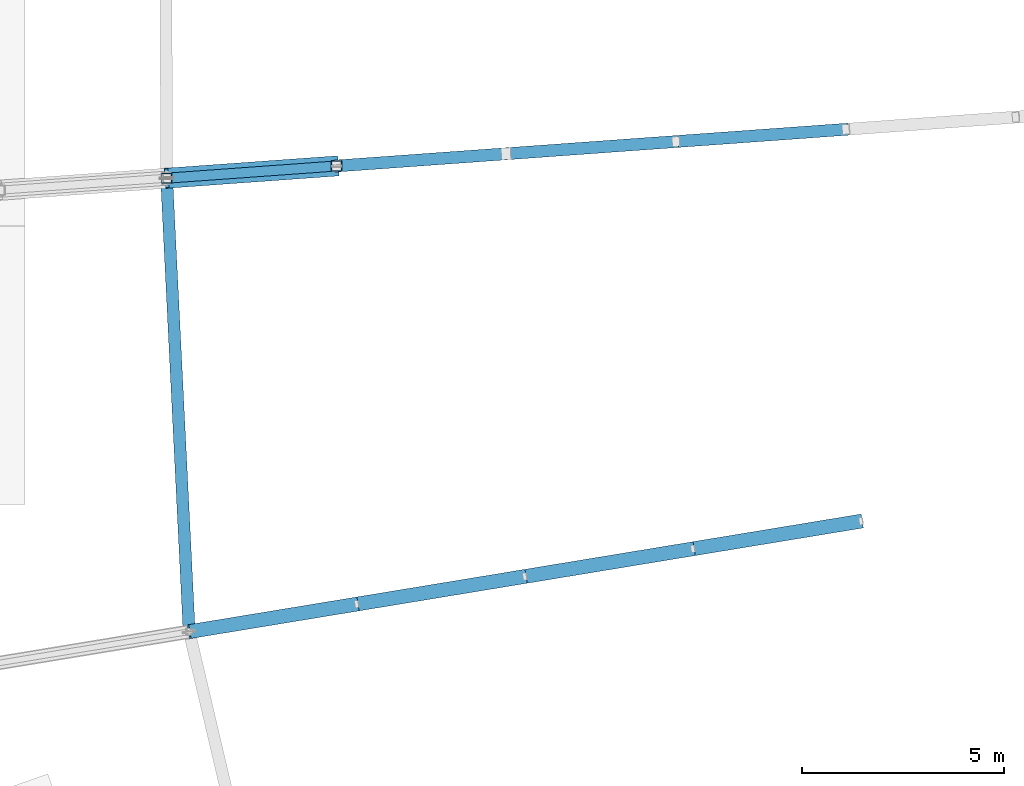
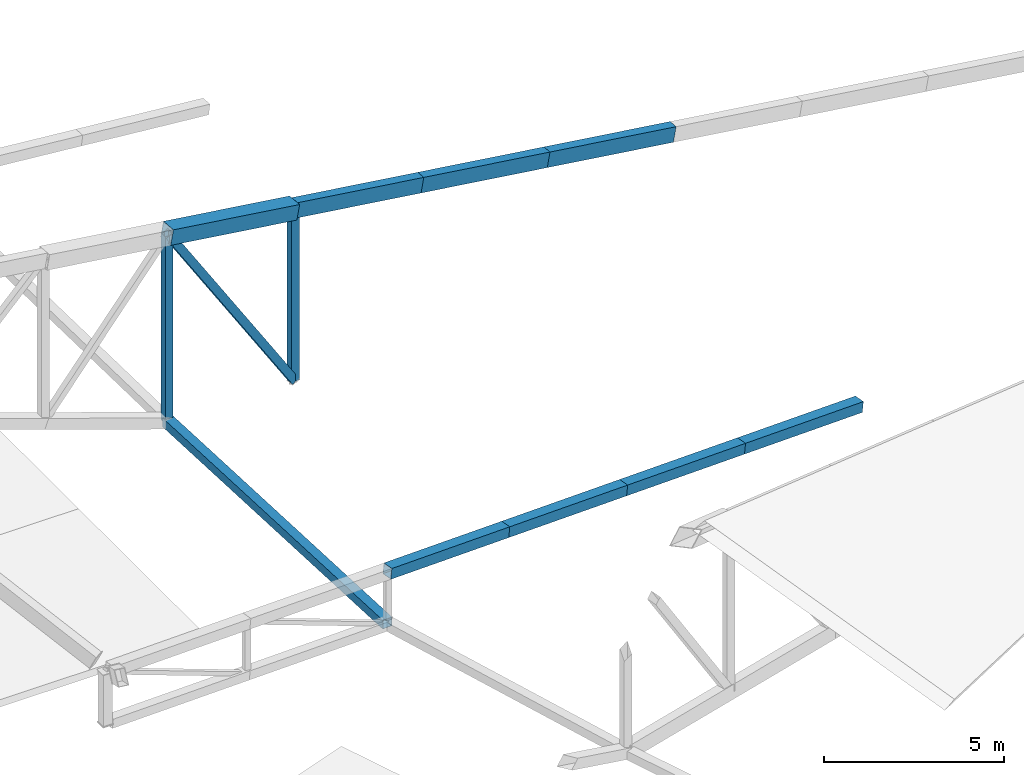
# One storey, part 11 of 188: 12 members.
"""IFC4 building model written with IfcOpenShell, lengths in metres."""

from ifc_helpers import new_model, si_unit, direction, frame, origin, origin_2d, place, context, subcontext, project, spatial, hollow_rectangle, extrude, material, material_profile, profile_set, type_object, element, save


model = new_model("IFC4")

# Units and contexts
model_context = context("Model", 3, precision=1e-05, world=origin(), true_north=direction((0.0, 1.0)))
body_context = subcontext(model_context, "Body", "Model", "MODEL_VIEW")
ifc_project = project(units=[si_unit("LENGTHUNIT", "METRE"), si_unit("AREAUNIT", "SQUARE_METRE"), si_unit("VOLUMEUNIT", "CUBIC_METRE"), si_unit("PLANEANGLEUNIT", "RADIAN"), si_unit("MASSUNIT", "GRAM", prefix="KILO")], contexts=[model_context])

# Site, building, storey
site_placement = place(None, origin())
site = spatial("IfcSite", under=ifc_project, at=site_placement, CompositionType="ELEMENT")
building_placement = place(site_placement, origin())
building = spatial("IfcBuilding", under=site, at=building_placement, Name="Meseta Stadium", CompositionType="ELEMENT")
storey_placement = place(building_placement, frame((0.0, 0.0, 30.0)))
storey = spatial("IfcBuildingStorey", under=building, at=storey_placement, Name="ROOF", CompositionType="ELEMENT", Elevation=30.0)

# Members
ifc_material_1 = material(Name="Steel S355", Category="steel")
ifc_material_profile_1 = material_profile(ifc_material_1, hollow_rectangle(XDim=0.300048828125, YDim=0.5, WallThickness=0.01611328125, at=origin_2d()), Name="RHS 500x300x16")
ifc_profile_set_1 = profile_set([ifc_material_profile_1], Name="Steel S355")
member_type_1 = type_object("IfcMemberType", Name="RHS 500x300x16 top chord", PredefinedType="CHORD", material=ifc_profile_set_1)
member_1_placement = place(storey_placement, frame((-68.038818359375, -41.349365234375, 4.157470703125), z_axis=(-0.979972406129, -0.07050529051, 0.186233958333), x_axis=(0.071760713601, -0.997421876632, 0.0)))
element("IfcMember", 1, at=member_1_placement, inside=storey, type_object=member_type_1, Name="ROOF TRUSS RT-36 top chord", PredefinedType="CHORD", context=body_context, shape_type="SweptSolid", body=[
    extrude(hollow_rectangle(XDim=0.300048828125, YDim=0.5, WallThickness=0.01611328125, at=origin_2d()), origin(), (0.0, 0.0, 1.0), 4.29736328125),
])
member_2_placement = place(storey_placement, frame((-72.25, -41.65234375, 4.957763671875), z_axis=(-0.979970732276, -0.070557892724, 0.186222844081), x_axis=(0.071814098474, -0.997418034357, 0.0)))
element("IfcMember", 2, at=member_2_placement, inside=storey, type_object=member_type_1, Name="ROOF TRUSS RT-36 top chord", PredefinedType="CHORD", context=body_context, shape_type="SweptSolid", body=[
    extrude(hollow_rectangle(XDim=0.300048828125, YDim=0.5, WallThickness=0.01611328125, at=origin_2d()), origin(), (0.0, 0.0, 1.0), 4.297607421875),
])
member_3_placement = place(storey_placement, frame((-76.46142578125, -41.95556640625, 5.758056640625), z_axis=(-0.979972406129, -0.07050529051, 0.186233958333), x_axis=(0.071760713601, -0.997421876632, 0.0)))
element("IfcMember", 3, at=member_3_placement, inside=storey, type_object=member_type_1, Name="ROOF TRUSS RT-36 top chord", PredefinedType="CHORD", context=body_context, shape_type="SweptSolid", body=[
    extrude(hollow_rectangle(XDim=0.300048828125, YDim=0.5, WallThickness=0.01611328125, at=origin_2d()), origin(), (0.0, 0.0, 1.0), 4.29736328125),
])
ifc_material_2 = material(Name="Steel S355", Category="steel")
ifc_material_profile_2 = material_profile(ifc_material_2, hollow_rectangle(XDim=0.25, YDim=0.25, WallThickness=0.010009765625, at=origin_2d()), Name="SHS 250x250x10")
ifc_profile_set_2 = profile_set([ifc_material_profile_2], Name="Steel S355")
member_type_2 = type_object("IfcMemberType", Name="SHS 250x250x10 diagonal", PredefinedType="BRACE", material=ifc_profile_set_2)
member_4_placement = place(storey_placement, frame((-80.672607421875, -42.258544921875, 0.773193359375), z_axis=(-0.538353419009, -0.038730237275, 0.841828702861), x_axis=(0.07175657498, -0.997422174381, 0.0)))
element("IfcMember", 4, at=member_4_placement, inside=storey, type_object=member_type_2, Name="ROOF TRUSS RT-36 diagonal", PredefinedType="BRACE", context=body_context, shape_type="SweptSolid", body=[
    extrude(hollow_rectangle(XDim=0.25, YDim=0.25, WallThickness=0.010009765625, at=origin_2d()), origin(), (0.0, 0.0, 1.0), 7.82275390625),
])
ifc_material_3 = material(Name="Steel S355", Category="steel")
ifc_material_profile_3 = material_profile(ifc_material_3, hollow_rectangle(XDim=0.25, YDim=0.25, WallThickness=0.010009765625, at=origin_2d()), Name="SHS 250x250x10")
ifc_profile_set_3 = profile_set([ifc_material_profile_3], Name="Steel S355")
member_type_3 = type_object("IfcMemberType", Name="SHS 250x250x10 post", PredefinedType="POST", material=ifc_profile_set_3)
member_5_placement = place(storey_placement, frame((-80.672607421875, -42.258544921875, 0.773193359375), z_axis=(0.0, 0.0, 1.0), x_axis=(1.0, 0.0, 0.0)))
element("IfcMember", 5, at=member_5_placement, inside=storey, type_object=member_type_3, Name="ROOF TRUSS RT-36 post", PredefinedType="POST", context=body_context, shape_type="SweptSolid", body=[
    extrude(hollow_rectangle(XDim=0.25, YDim=0.25, WallThickness=0.010009765625, at=origin_2d()), origin(), (0.0, 0.0, 1.0), 5.78515625),
])
member_6_placement = place(storey_placement, frame((-84.884033203125, -42.5615234375, 1.025390625), z_axis=(0.0, 0.0, 1.0), x_axis=(1.0, 0.0, 0.0)))
element("IfcMember", 6, at=member_6_placement, inside=storey, type_object=member_type_3, Name="ROOF TRUSS RT-36 post", PredefinedType="POST", context=body_context, shape_type="SweptSolid", body=[
    extrude(hollow_rectangle(XDim=0.25, YDim=0.25, WallThickness=0.010009765625, at=origin_2d()), origin(), (0.0, 0.0, 1.0), 6.333251953125),
])
ifc_material_4 = material(Name="Steel S355", Category="steel")
ifc_material_profile_4 = material_profile(ifc_material_4, hollow_rectangle(XDim=0.300048828125, YDim=0.300048828125, WallThickness=0.010009765625, at=origin_2d()), Name="SHS 300x300x10")
ifc_profile_set_4 = profile_set([ifc_material_profile_4], Name="Steel S355")
member_type_4 = type_object("IfcMemberType", Name="SHS 300x300x10 pivot strut", PredefinedType="STRUT", material=ifc_profile_set_4)
member_7_placement = place(storey_placement, frame((-84.884033203125, -42.5615234375, 1.025390625), z_axis=(0.049647427501, -0.998566148841, -0.020019473824), x_axis=(0.998766311346, 0.049657379323, 0.0)))
element("IfcMember", 7, at=member_7_placement, inside=storey, type_object=member_type_4, Name="ROOF PIVOT STRUT RT-36/37", PredefinedType="STRUT", context=body_context, shape_type="SweptSolid", body=[
    extrude(hollow_rectangle(XDim=0.300048828125, YDim=0.300048828125, WallThickness=0.010009765625, at=origin_2d()), origin(), (0.0, 0.0, 1.0), 11.256103515625),
])
ifc_material_5 = material(Name="Steel S355", Category="steel")
ifc_material_profile_5 = material_profile(ifc_material_5, hollow_rectangle(XDim=0.35009765625, YDim=0.35009765625, WallThickness=0.010009765625, at=origin_2d()), Name="SHS 350x350x10")
ifc_profile_set_5 = profile_set([ifc_material_profile_5], Name="Steel S355")
member_type_5 = type_object("IfcMemberType", Name="SHS 350x350x10 top chord", PredefinedType="CHORD", material=ifc_profile_set_5)
member_8_placement = place(storey_placement, frame((-67.660400390625, -51.060302734375, 0.70556640625), z_axis=(-0.980863294148, -0.161340947358, 0.108978424008), x_axis=(0.162307632911, -0.986740205069, 0.0)))
element("IfcMember", 8, at=member_8_placement, inside=storey, type_object=member_type_5, Name="ROOF TRUSS RT-37 top chord", PredefinedType="CHORD", context=body_context, shape_type="SweptSolid", body=[
    extrude(hollow_rectangle(XDim=0.35009765625, YDim=0.35009765625, WallThickness=0.010009765625, at=origin_2d()), origin(), (0.0, 0.0, 1.0), 4.24755859375),
])
member_9_placement = place(storey_placement, frame((-71.82666015625, -51.74560546875, 1.16845703125), z_axis=(-0.980867258247, -0.161351054495, 0.108927769244), x_axis=(0.162316894015, -0.986738681677, 0.0)))
element("IfcMember", 9, at=member_9_placement, inside=storey, type_object=member_type_5, Name="ROOF TRUSS RT-37 top chord", PredefinedType="CHORD", context=body_context, shape_type="SweptSolid", body=[
    extrude(hollow_rectangle(XDim=0.35009765625, YDim=0.35009765625, WallThickness=0.010009765625, at=origin_2d()), origin(), (0.0, 0.0, 1.0), 4.247314453125),
])
for number, where, z_axis, x_axis, name in (
    (10, (-75.99267578125, -52.430908203125, 1.631103515625), (-0.980863294148, -0.161340947358, 0.108978424008), (0.162307632911, -0.986740205069, 0.0), "ROOF TRUSS RT-37 top chord"),
    (11, (-80.158935546875, -53.1162109375, 2.093994140625), (-0.980863294148, -0.161340947358, 0.108978424008), (0.162307632911, -0.986740205069, 0.0), "ROOF TRUSS RT-37 top chord"),
):
    element("IfcMember", number, at=place(storey_placement, frame(where, z_axis=z_axis, x_axis=x_axis)), inside=storey, type_object=member_type_5, Name=name, PredefinedType="CHORD", context=body_context, shape_type="SweptSolid", body=[
        extrude(hollow_rectangle(XDim=0.35009765625, YDim=0.35009765625, WallThickness=0.010009765625, at=origin_2d()), origin(), (0.0, 0.0, 1.0), 4.24755859375),
    ])
ifc_material_6 = material(Name="Steel S355", Category="steel")
ifc_material_profile_6 = material_profile(ifc_material_6, hollow_rectangle(XDim=0.5, YDim=0.5, WallThickness=0.01611328125, at=origin_2d()), Name="SHS 500x500x16")
ifc_profile_set_6 = profile_set([ifc_material_profile_6], Name="Steel S355")
member_type_6 = type_object("IfcMemberType", Name="SHS 500x500x16 top chord", PredefinedType="CHORD", material=ifc_profile_set_6)
member_10_placement = place(storey_placement, frame((-80.672607421875, -42.258544921875, 6.558349609375), z_axis=(-0.979974658819, -0.07050136531, 0.186223590238), x_axis=(0.07175657498, -0.997422174381, 0.0)))
element("IfcMember", 12, at=member_10_placement, inside=storey, type_object=member_type_6, Name="ROOF TRUSS RT-36 top chord", PredefinedType="CHORD", context=body_context, shape_type="SweptSolid", body=[
    extrude(hollow_rectangle(XDim=0.5, YDim=0.5, WallThickness=0.01611328125, at=origin_2d()), origin(), (0.0, 0.0, 1.0), 4.29736328125),
])

save(model, "model.ifc")
